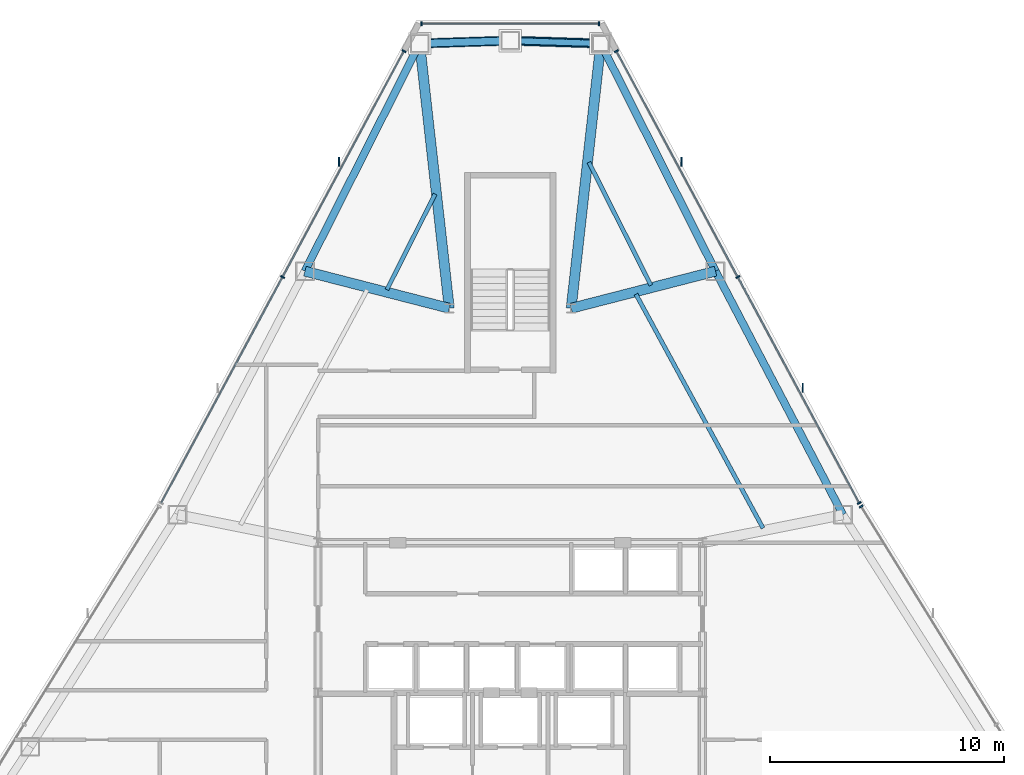
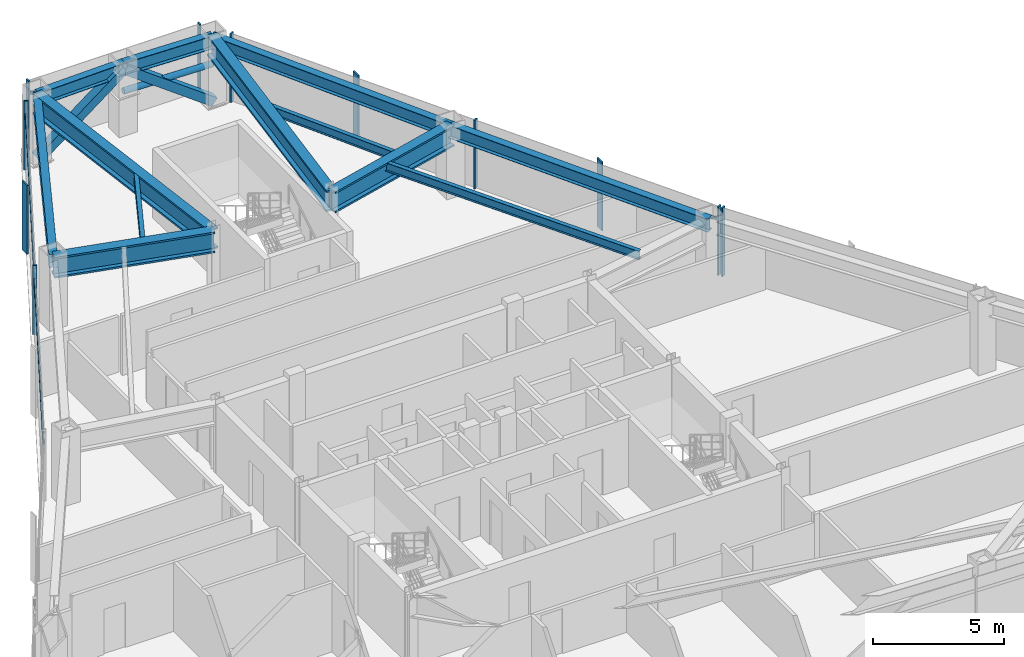
# One storey, part 8 of 13: 17 members, 12 beams, 4 elements without a shape of their own.
"""IFC4 building model written with IfcOpenShell, lengths in metres."""

from ifc_helpers import new_model, si_unit, direction, frame, origin, origin_2d, place, context, subcontext, project, spatial, rectangle, hollow_rectangle, hollow_circle, i_section, extrude, source, transform, mapped, material, layer, layer_set, material_profile, profile_set, type_object, type_shapes, element, aggregate, save


model = new_model("IFC4")

# Units and contexts
model_context = context("Model", 3, precision=1e-05, world=origin(), true_north=direction((0.0, 1.0)))
body_context = subcontext(model_context, "Body", "Model", "MODEL_VIEW")
ifc_project = project(units=[si_unit("LENGTHUNIT", "METRE"), si_unit("AREAUNIT", "SQUARE_METRE"), si_unit("VOLUMEUNIT", "CUBIC_METRE"), si_unit("PLANEANGLEUNIT", "RADIAN"), si_unit("MASSUNIT", "GRAM", prefix="KILO")], contexts=[model_context])

# Site, building, storey
site_placement = place(None, origin())
site = spatial("IfcSite", under=ifc_project, at=site_placement, CompositionType="ELEMENT")
building_placement = place(site_placement, origin())
building = spatial("IfcBuilding", under=site, at=building_placement, Name="Varakhsha Concourse Tower", CompositionType="ELEMENT")
storey_placement = place(building_placement, frame((0.0, 0.0, 168.89990234375)))
storey = spatial("IfcBuildingStorey", under=building, at=storey_placement, Name="L48", CompositionType="ELEMENT", Elevation=168.89990234375)

# Beams
ifc_material_1 = material(Name="Structural Steel ASTM A992 Grade 50", Category="steel")
ifc_material_profile_1 = material_profile(ifc_material_1, i_section(OverallWidth=0.177978515625, OverallDepth=0.406982421875, WebThickness=0.008056640625, FlangeThickness=0.012939453125, at=origin_2d()), Name="W16X40")
ifc_profile_set_1 = profile_set([ifc_material_profile_1], Name="Structural Steel ASTM A992 Grade 50")
beam_type_1 = type_object("IfcBeamType", Name="BM-JST-W16X40", PredefinedType="JOIST", material=ifc_profile_set_1)
beam_1_placement = place(storey_placement, frame((36.794677734375, 46.072021484375, 3.006591796875), z_axis=(-0.450098569087, -0.892978878869, 0.0), x_axis=(0.892978878869, -0.450098569087, 0.0)))
element("IfcBeam", 1, at=beam_1_placement, inside=storey, type_object=beam_type_1, Name="BM-TJST-L48-03", PredefinedType="JOIST", context=body_context, shape_type="SweptSolid", body=[
    extrude(i_section(OverallWidth=0.177978515625, OverallDepth=0.406982421875, WebThickness=0.008056640625, FlangeThickness=0.012939453125, at=origin_2d()), origin(), (0.0, 0.0, 1.0), 4.566162109375),
])
beam_2_placement = place(storey_placement, frame((50.7841796875, 31.822021484375, 3.006591796875), z_axis=(-0.477440074464, 0.878664313202, 0.0), x_axis=(-0.878664313202, -0.477440074464, 0.0)))
element("IfcBeam", 2, at=beam_2_placement, inside=storey, type_object=beam_type_1, Name="BM-TJST-L48-17", PredefinedType="JOIST", context=body_context, shape_type="SweptSolid", body=[
    extrude(i_section(OverallWidth=0.177978515625, OverallDepth=0.406982421875, WebThickness=0.008056640625, FlangeThickness=0.012939453125, at=origin_2d()), origin(), (0.0, 0.0, 1.0), 11.355712890625),
])
beam_3_placement = place(storey_placement, frame((45.99951171875, 42.1845703125, 3.006591796875), z_axis=(-0.450121946703, 0.892967095192, 0.0), x_axis=(-0.892967095192, -0.450121946703, 0.0)))
element("IfcBeam", 3, at=beam_3_placement, inside=storey, type_object=beam_type_1, Name="BM-TJST-L48-18", PredefinedType="JOIST", context=body_context, shape_type="SweptSolid", body=[
    extrude(i_section(OverallWidth=0.177978515625, OverallDepth=0.406982421875, WebThickness=0.008056640625, FlangeThickness=0.012939453125, at=origin_2d()), origin(), (0.0, 0.0, 1.0), 5.871337890625),
])
ifc_material_profile_2 = material_profile(ifc_material_1, i_section(OverallWidth=0.323974609375, OverallDepth=0.611083984375, WebThickness=0.012939453125, FlangeThickness=0.01904296875, at=origin_2d()), Name="W24X104")
ifc_profile_set_2 = profile_set([ifc_material_profile_2], Name="Structural Steel ASTM A992 Grade 50")
beam_type_2 = type_object("IfcBeamType", Name="BM-SPAN-W24X104", PredefinedType="SPANDREL", material=ifc_profile_set_2)
for number, where, z_axis, x_axis, name in (
    (4, (43.863037109375, 52.495849609375, 2.904541015625), (-0.999497111061, 0.031710013888, 0.0), (-0.031710013888, -0.999497111061, 0.0), "BM-SPAN-L48-01"),
    (5, (40.0, 52.618408203125, 2.904541015625), (-0.999497111061, -0.031710013888, 0.0), (0.031710013888, -0.999497111061, 0.0), "BM-SPAN-L48-02"),
):
    element("IfcBeam", number, at=place(storey_placement, frame(where, z_axis=z_axis, x_axis=x_axis)), inside=storey, type_object=beam_type_2, Name=name, PredefinedType="SPANDREL", context=body_context, shape_type="SweptSolid", body=[
        extrude(i_section(OverallWidth=0.323974609375, OverallDepth=0.611083984375, WebThickness=0.012939453125, FlangeThickness=0.01904296875, at=origin_2d()), origin(), (0.0, 0.0, 1.0), 3.864990234375),
    ])
beam_4_placement = place(storey_placement, frame((36.136962890625, 52.495849609375, 2.904541015625), z_axis=(-0.450111133231, -0.892972545906, 0.0), x_axis=(0.892972545906, -0.450111133231, 0.0)))
element("IfcBeam", 6, at=beam_4_placement, inside=storey, type_object=beam_type_2, Name="BM-SPAN-L48-03", PredefinedType="SPANDREL", context=body_context, shape_type="SweptSolid", body=[
    extrude(i_section(OverallWidth=0.323974609375, OverallDepth=0.611083984375, WebThickness=0.012939453125, FlangeThickness=0.01904296875, at=origin_2d()), origin(), (0.0, 0.0, 1.0), 10.877197265625),
])
beam_5_placement = place(storey_placement, frame((54.192138671875, 32.393798828125, 2.904541015625), z_axis=(-0.463424073091, 0.886136630819, 0.0), x_axis=(-0.886136630819, -0.463424073091, 0.0)))
element("IfcBeam", 7, at=beam_5_placement, inside=storey, type_object=beam_type_2, Name="BM-SPAN-L48-17", PredefinedType="SPANDREL", context=body_context, shape_type="SweptSolid", body=[
    extrude(i_section(OverallWidth=0.323974609375, OverallDepth=0.611083984375, WebThickness=0.012939453125, FlangeThickness=0.01904296875, at=origin_2d()), origin(), (0.0, 0.0, 1.0), 11.723876953125),
])
beam_6_placement = place(storey_placement, frame((48.759033203125, 42.78271484375, 2.904541015625), z_axis=(-0.450111133231, 0.892972545906, 0.0), x_axis=(-0.892972545906, -0.450111133231, 0.0)))
element("IfcBeam", 8, at=beam_6_placement, inside=storey, type_object=beam_type_2, Name="BM-SPAN-L48-18", PredefinedType="SPANDREL", context=body_context, shape_type="SweptSolid", body=[
    extrude(i_section(OverallWidth=0.323974609375, OverallDepth=0.611083984375, WebThickness=0.012939453125, FlangeThickness=0.01904296875, at=origin_2d()), origin(), (0.0, 0.0, 1.0), 10.877197265625),
])
ifc_material_profile_3 = material_profile(ifc_material_1, i_section(OverallWidth=0.427978515625, OverallDepth=0.97509765625, WebThickness=0.050048828125, FlangeThickness=0.0810546875, at=origin_2d()), Name="W36X395")
ifc_profile_set_3 = profile_set([ifc_material_profile_3], Name="Structural Steel ASTM A992 Grade 50")
beam_type_3 = type_object("IfcBeamType", Name="BM-XFER-W36X395", PredefinedType="USERDEFINED", material=ifc_profile_set_3)
for number, where, z_axis, x_axis, name in (
    (9, (42.60009765625, 41.199951171875, 2.72265625), (0.111112815478, 0.993807799444, 0.0), (-0.993807799444, 0.111112815478, 0.0), "L48 Radial Floor Girder 01"),
    (10, (37.39990234375, 41.199951171875, 2.72265625), (-0.111112815478, 0.993807799444, 0.0), (-0.993807799444, -0.111112815478, 0.0), "L48 Radial Floor Girder 03"),
):
    element("IfcBeam", number, at=place(storey_placement, frame(where, z_axis=z_axis, x_axis=x_axis)), inside=storey, type_object=beam_type_3, Name=name, ObjectType="GIRDER", PredefinedType="USERDEFINED", context=body_context, shape_type="SweptSolid", body=[
        extrude(i_section(OverallWidth=0.427978515625, OverallDepth=0.97509765625, WebThickness=0.050048828125, FlangeThickness=0.0810546875, at=origin_2d()), origin(), (0.0, 0.0, 1.0), 11.3662109375),
    ])
for number, where, z_axis, x_axis, name in (
    (11, (37.39990234375, 41.199951171875, 2.72265625), (-0.968529433349, 0.248899049289, 0.0), (-0.248899049289, -0.968529433349, 0.0), "L48 Radial Floor Girder 04"),
    (12, (42.60009765625, 41.199951171875, 2.72265625), (0.968529433349, 0.248899049289, 0.0), (-0.248899049289, 0.968529433349, 0.0), "L48 Radial Floor Girder 18"),
):
    element("IfcBeam", number, at=place(storey_placement, frame(where, z_axis=z_axis, x_axis=x_axis)), inside=storey, type_object=beam_type_3, Name=name, ObjectType="GIRDER", PredefinedType="USERDEFINED", context=body_context, shape_type="SweptSolid", body=[
        extrude(i_section(OverallWidth=0.427978515625, OverallDepth=0.97509765625, WebThickness=0.050048828125, FlangeThickness=0.0810546875, at=origin_2d()), origin(), (0.0, 0.0, 1.0), 6.359130859375),
    ])

# Members
ifc_material_2 = material(Name="Structural Steel ASTM A500 Grade C", Category="steel")
ifc_material_profile_4 = material_profile(ifc_material_2, hollow_rectangle(XDim=0.39990234375, YDim=0.39990234375, WallThickness=0.01611328125, at=origin_2d()), Name="HSS 400x400x16")
ifc_profile_set_4 = profile_set([ifc_material_profile_4], Name="Structural Steel ASTM A500 Grade C")
member_type_1 = type_object("IfcMemberType", Name="MB-TUBE-HSS400", PredefinedType="BRACE", material=ifc_profile_set_4)
shared_shape_1 = source(origin(), body_context, "Body", "SweptSolid", [
    extrude(hollow_rectangle(XDim=0.39990234375, YDim=0.39990234375, WallThickness=0.01611328125, at=origin_2d()), origin(), (0.0, 0.0, 1.0), 4.766845703125),
])
type_shapes(member_type_1, [shared_shape_1])
for number, where, z_axis, x_axis, name in (
    (13, (43.863037109375, 52.495849609375, 0.1201171875), (-0.810404482099, 0.025710867093, 0.585306352868), (-0.031710013888, -0.999497111061, 0.0), "L48 Wind-Corner Tube Brace B01"),
    (14, (36.136962890625, 52.495849609375, 0.1201171875), (0.810404482099, 0.025710867093, 0.585306352868), (-0.031710013888, 0.999497111061, 0.0), "L48 Wind-Corner Tube Brace B02"),
):
    element("IfcMember", number, at=place(storey_placement, frame(where, z_axis=z_axis, x_axis=x_axis)), inside=storey, type_object=member_type_1, Name=name, PredefinedType="BRACE", context=body_context, shape_type="MappedRepresentation", body=[
        mapped(shared_shape_1, transform((0.0, 0.0, 0.0), scale=1.0)),
    ])
ifc_material_profile_5 = material_profile(ifc_material_2, hollow_circle(Radius=0.136474609375, WallThickness=0.011962890625, at=origin_2d()), Name="CHS 273x12")
ifc_profile_set_5 = profile_set([ifc_material_profile_5], Name="Structural Steel ASTM A500 Grade C")
member_type_2 = type_object("IfcMemberType", Name="MB-WIND-CHS273", PredefinedType="COLLAR", material=ifc_profile_set_5)
shared_shape_2 = source(origin(), body_context, "Body", "SweptSolid", [
    extrude(hollow_circle(Radius=0.136474609375, WallThickness=0.011962890625, at=origin_2d()), origin(), (0.0, 0.0, 1.0), 3.864990234375),
])
type_shapes(member_type_2, [shared_shape_2])
member_1_placement = place(storey_placement, frame((43.863037109375, 52.495849609375, 1.800048828125), z_axis=(-0.999497111061, 0.031710013888, 0.0), x_axis=(-0.031710013888, -0.999497111061, 0.0)))
element("IfcMember", 15, at=member_1_placement, inside=storey, type_object=member_type_2, Name="L48 Wind-Corner Collar Tie 1", PredefinedType="COLLAR", context=body_context, shape_type="MappedRepresentation", body=[
    mapped(shared_shape_2, transform((0.0, 0.0, 0.0), scale=1.0)),
])

# Curtain wall, member
ifc_material_3 = material(Name="Anodised Bronze Architectural Aluminium AA 6063-T6", Category="aluminium")
ifc_layer = layer(ifc_material_3, 0.2099609375, Name="CW-SYS-04")
ifc_layer_set = layer_set([ifc_layer], Name="Anodised Bronze Architectural Aluminium AA 6063-T6")
curtain_wall_type = type_object("IfcCurtainWallType", Name="CW-SYS-04", PredefinedType="NOTDEFINED", material=ifc_layer_set)
curtain_wall_1_placement = place(storey_placement, origin())
curtain_wall_1 = element("IfcCurtainWall", 16, at=curtain_wall_1_placement, inside=storey, type_object=curtain_wall_type, Name="L48 Crystal Curtain Wall F2", PredefinedType="NOTDEFINED")
ifc_material_profile_6 = material_profile(ifc_material_3, rectangle(XDim=0.06005859375, YDim=0.3798828125, at=origin_2d()), Name="FIN-BRZ-380")
ifc_profile_set_6 = profile_set([ifc_material_profile_6], Name="Anodised Bronze Architectural Aluminium AA 6063-T6")
member_type_3 = type_object("IfcMemberType", Name="FIN-BRZ-380", PredefinedType="USERDEFINED", material=ifc_profile_set_6)
shared_shape_3 = source(origin(), body_context, "Body", "SweptSolid", [
    extrude(rectangle(XDim=0.06005859375, YDim=0.3798828125, at=origin_2d()), origin(), (0.0, 0.0, 1.0), 3.210205078125),
])
type_shapes(member_type_3, [shared_shape_3])
member_2_placement = place(storey_placement, frame((32.698486328125, 47.44970703125, 0.0), z_axis=(0.0, 0.0, 1.0), x_axis=(1.0, 0.0, 0.0)))
member_2 = element("IfcMember", 17, at=member_2_placement, type_object=member_type_3, Name="L48 Anodised Bronze Solar Fin F2-2", ObjectType="SOLAR FIN", PredefinedType="USERDEFINED", context=body_context, shape_type="MappedRepresentation", body=[
    mapped(shared_shape_3, transform((0.0, 0.0, 0.0), scale=1.0)),
])

# Curtain wall, members
curtain_wall_2_placement = place(storey_placement, origin())
curtain_wall_2 = element("IfcCurtainWall", 18, at=curtain_wall_2_placement, inside=storey, type_object=curtain_wall_type, Name="L48 Crystal Curtain Wall F9", PredefinedType="NOTDEFINED")
member_3_placement = place(storey_placement, frame((47.301513671875, 47.44970703125, 0.0), z_axis=(0.0, 0.0, 1.0), x_axis=(1.0, 0.0, 0.0)))
member_3 = element("IfcMember", 19, at=member_3_placement, type_object=member_type_3, Name="L48 Anodised Bronze Solar Fin F9-1", ObjectType="SOLAR FIN", PredefinedType="USERDEFINED", context=body_context, shape_type="MappedRepresentation", body=[
    mapped(shared_shape_3, transform((0.0, 0.0, 0.0), scale=1.0)),
])
member_4_placement = place(storey_placement, frame((52.480712890625, 37.810791015625, 0.0), z_axis=(0.0, 0.0, 1.0), x_axis=(1.0, 0.0, 0.0)))
member_4 = element("IfcMember", 20, at=member_4_placement, type_object=member_type_3, Name="L48 Anodised Bronze Solar Fin F9-2", ObjectType="SOLAR FIN", PredefinedType="USERDEFINED", context=body_context, shape_type="MappedRepresentation", body=[
    mapped(shared_shape_3, transform((0.0, 0.0, 0.0), scale=1.0)),
])

# Member
ifc_material_profile_7 = material_profile(ifc_material_3, rectangle(XDim=0.06005859375, YDim=0.139892578125, at=origin_2d()), Name="CWT-140X60")
ifc_profile_set_7 = profile_set([ifc_material_profile_7], Name="Anodised Bronze Architectural Aluminium AA 6063-T6")
member_type_4 = type_object("IfcMemberType", Name="CWT-140X60", PredefinedType="USERDEFINED", material=ifc_profile_set_7)
shared_shape_4 = source(origin(), body_context, "Body", "SweptSolid", [
    extrude(rectangle(XDim=0.06005859375, YDim=0.139892578125, at=origin_2d()), origin(), (0.0, 0.0, 1.0), 21.88427734375),
])
member_5_placement = place(storey_placement, frame((25.110107421875, 32.89453125, 2.56005859375), z_axis=(0.473339245007, 0.880880218382, 0.0), x_axis=(-0.880880218382, 0.473339245007, 0.0)))
member_5 = element("IfcMember", 21, at=member_5_placement, type_object=member_type_4, Name="CW-L48-F2 Transom 01", ObjectType="TRANSOM", PredefinedType="USERDEFINED", context=body_context, shape_type="MappedRepresentation", body=[
    mapped(shared_shape_4, transform((0.0, 0.0, 0.0), scale=1.0)),
])

member_6_placement = place(storey_placement, frame((44.53125, 52.171875, 2.56005859375), z_axis=(0.473339245007, -0.880880218382, 0.0), x_axis=(0.880880218382, 0.473339245007, 0.0)))
member_6 = element("IfcMember", 22, at=member_6_placement, type_object=member_type_4, Name="CW-L48-F9 Transom 01", ObjectType="TRANSOM", PredefinedType="USERDEFINED", context=body_context, shape_type="MappedRepresentation", body=[
    mapped(shared_shape_4, transform((0.0, 0.0, 0.0), scale=1.0)),
])

# Curtain wall, members
curtain_wall_3_placement = place(storey_placement, origin())
curtain_wall_3 = element("IfcCurtainWall", 23, at=curtain_wall_3_placement, inside=storey, type_object=curtain_wall_type, Name="L48 Chamfer Curtain Wall F1", PredefinedType="NOTDEFINED")
shared_shape_5 = source(origin(), body_context, "Body", "SweptSolid", [
    extrude(rectangle(XDim=0.06005859375, YDim=0.139892578125, at=origin_2d()), origin(), (0.0, 0.0, 1.0), 7.56005859375),
])
type_shapes(member_type_4, [shared_shape_4, shared_shape_5])
member_7_placement = place(storey_placement, frame((36.219970703125, 53.33837890625, 2.56005859375), z_axis=(1.0, 0.0, 0.0), x_axis=(0.0, 1.0, 0.0)))
member_7 = element("IfcMember", 24, at=member_7_placement, type_object=member_type_4, Name="CW-L48-F1 Transom 01", ObjectType="TRANSOM", PredefinedType="USERDEFINED", context=body_context, shape_type="MappedRepresentation", body=[
    mapped(shared_shape_5, transform((0.0, 0.0, 0.0), scale=1.0)),
])
ifc_material_profile_8 = material_profile(ifc_material_3, rectangle(XDim=0.06494140625, YDim=0.179931640625, at=origin_2d()), Name="CWM-180X65")
ifc_profile_set_8 = profile_set([ifc_material_profile_8], Name="Anodised Bronze Architectural Aluminium AA 6063-T6")
member_type_5 = type_object("IfcMemberType", Name="CWM-180X65", PredefinedType="MULLION", material=ifc_profile_set_8)
shared_shape_6 = source(origin(), body_context, "Body", "SweptSolid", [
    extrude(rectangle(XDim=0.06494140625, YDim=0.179931640625, at=origin_2d()), origin(), (0.0, 0.0, 1.0), 3.210205078125),
])
type_shapes(member_type_5, [shared_shape_6])
member_8_placement = place(storey_placement, frame((36.219970703125, 53.33837890625, 0.0), z_axis=(0.0, 0.0, 1.0), x_axis=(1.0, 0.0, 0.0)))
member_8 = element("IfcMember", 25, at=member_8_placement, type_object=member_type_5, Name="CW-L48-F1 Mullion 00", PredefinedType="MULLION", context=body_context, shape_type="MappedRepresentation", body=[
    mapped(shared_shape_6, transform((0.0, 0.0, 0.0), scale=1.0)),
])
member_9_placement = place(storey_placement, frame((43.780029296875, 53.33837890625, 0.0), z_axis=(0.0, 0.0, 1.0), x_axis=(1.0, 0.0, 0.0)))
member_9 = element("IfcMember", 26, at=member_9_placement, type_object=member_type_5, Name="CW-L48-F1 Mullion 01", PredefinedType="MULLION", context=body_context, shape_type="MappedRepresentation", body=[
    mapped(shared_shape_6, transform((0.0, 0.0, 0.0), scale=1.0)),
])
aggregate(curtain_wall_3, [member_8, member_9, member_7])

# Member
member_10_placement = place(storey_placement, frame((30.28955078125, 42.533203125, 0.0), z_axis=(0.0, 0.0, 1.0), x_axis=(0.473336578986, 0.880881650958, 0.0)))
member_10 = element("IfcMember", 27, at=member_10_placement, type_object=member_type_5, Name="CW-L48-F2 Mullion 01", PredefinedType="MULLION", context=body_context, shape_type="MappedRepresentation", body=[
    mapped(shared_shape_6, transform((0.0, 0.0, 0.0), scale=1.0)),
])

member_11_placement = place(storey_placement, frame((35.46875, 52.171875, 0.0), z_axis=(0.0, 0.0, 1.0), x_axis=(0.473336578986, 0.880881650958, 0.0)))
member_11 = element("IfcMember", 28, at=member_11_placement, type_object=member_type_5, Name="CW-L48-F2 Mullion 02", PredefinedType="MULLION", context=body_context, shape_type="MappedRepresentation", body=[
    mapped(shared_shape_6, transform((0.0, 0.0, 0.0), scale=1.0)),
])

aggregate(curtain_wall_1, [member_10, member_11, member_5, member_2])

# Curtain wall, member
curtain_wall_4_placement = place(storey_placement, origin())
curtain_wall_4 = element("IfcCurtainWall", 29, at=curtain_wall_4_placement, inside=storey, type_object=curtain_wall_type, Name="L48 Crystal Curtain Wall F8", PredefinedType="NOTDEFINED")
member_12_placement = place(storey_placement, frame((54.974609375, 32.74755859375, 0.0), z_axis=(0.0, 0.0, 1.0), x_axis=(0.526199082126, -0.850361409032, 0.0)))
member_12 = element("IfcMember", 30, at=member_12_placement, type_object=member_type_5, Name="CW-L48-F8 Mullion 00", PredefinedType="MULLION", context=body_context, shape_type="MappedRepresentation", body=[
    mapped(shared_shape_6, transform((0.0, 0.0, 0.0), scale=1.0)),
])
aggregate(curtain_wall_4, [member_12])

# Member
member_13_placement = place(storey_placement, frame((44.53125, 52.171875, 0.0), z_axis=(0.0, 0.0, 1.0), x_axis=(0.473336578986, -0.880881650958, 0.0)))
member_13 = element("IfcMember", 31, at=member_13_placement, type_object=member_type_5, Name="CW-L48-F9 Mullion 00", PredefinedType="MULLION", context=body_context, shape_type="MappedRepresentation", body=[
    mapped(shared_shape_6, transform((0.0, 0.0, 0.0), scale=1.0)),
])

member_14_placement = place(storey_placement, frame((49.71044921875, 42.533203125, 0.0), z_axis=(0.0, 0.0, 1.0), x_axis=(0.473336578986, -0.880881650958, 0.0)))
member_14 = element("IfcMember", 32, at=member_14_placement, type_object=member_type_5, Name="CW-L48-F9 Mullion 01", PredefinedType="MULLION", context=body_context, shape_type="MappedRepresentation", body=[
    mapped(shared_shape_6, transform((0.0, 0.0, 0.0), scale=1.0)),
])

member_15_placement = place(storey_placement, frame((54.889892578125, 32.89453125, 0.0), z_axis=(0.0, 0.0, 1.0), x_axis=(0.473336578986, -0.880881650958, 0.0)))
member_15 = element("IfcMember", 33, at=member_15_placement, type_object=member_type_5, Name="CW-L48-F9 Mullion 02", PredefinedType="MULLION", context=body_context, shape_type="MappedRepresentation", body=[
    mapped(shared_shape_6, transform((0.0, 0.0, 0.0), scale=1.0)),
])

aggregate(curtain_wall_2, [member_13, member_14, member_15, member_6, member_3, member_4])

save(model, "model.ifc")
